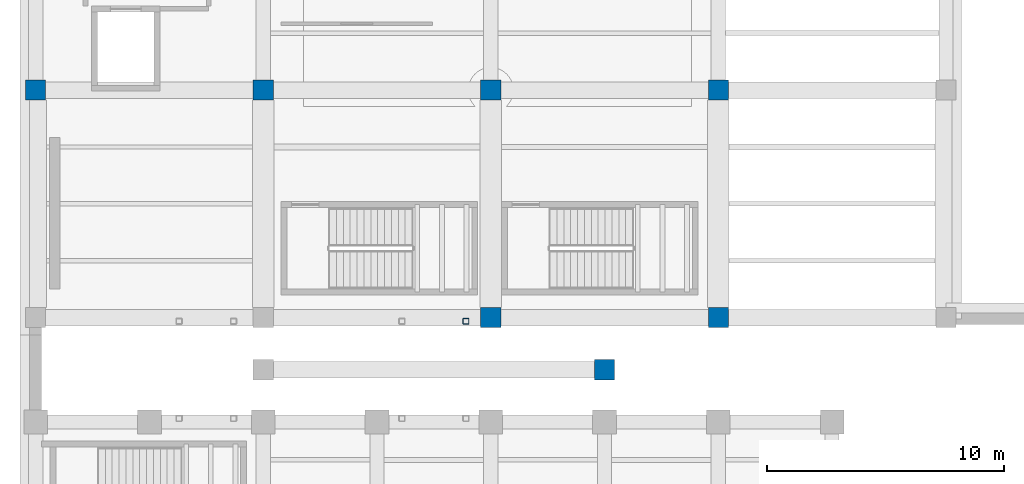
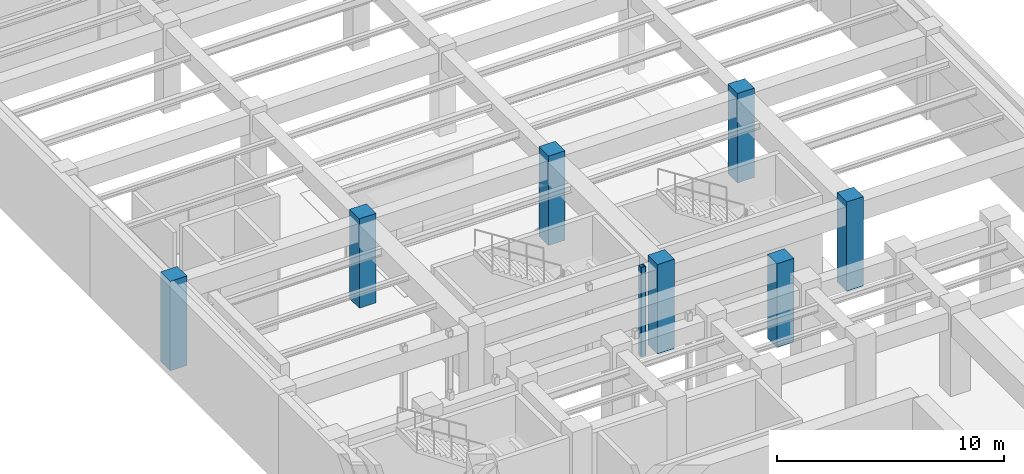
# One storey, part 8 of 45: 8 columns.
"""IFC4 building model written with IfcOpenShell, lengths in metres."""

from ifc_helpers import new_model, si_unit, direction, frame, origin, origin_2d, place, context, subcontext, project, spatial, rectangle, hollow_rectangle, extrude, material, material_profile, profile_set, type_object, element, save


model = new_model("IFC4")

# Units and contexts
model_context = context("Model", 3, precision=1e-05, world=origin(), true_north=direction((0.0, 1.0)))
body_context = subcontext(model_context, "Body", "Model", "MODEL_VIEW")
ifc_project = project(units=[si_unit("LENGTHUNIT", "METRE"), si_unit("AREAUNIT", "SQUARE_METRE"), si_unit("VOLUMEUNIT", "CUBIC_METRE"), si_unit("PLANEANGLEUNIT", "RADIAN"), si_unit("MASSUNIT", "GRAM", prefix="KILO")], contexts=[model_context])

# Site, building, storey
site_placement = place(None, origin())
site = spatial("IfcSite", under=ifc_project, at=site_placement, CompositionType="ELEMENT")
building_placement = place(site_placement, origin())
building = spatial("IfcBuilding", under=site, at=building_placement, Name="Mavantir Sound Aquarium", CompositionType="ELEMENT")
storey_placement = place(building_placement, frame((0.0, 0.0, -4.800048828125)))
storey = spatial("IfcBuildingStorey", under=building, at=storey_placement, Name="B1", CompositionType="ELEMENT", Elevation=-4.800048828125)

# Columns
ifc_material_1 = material(Name="Concrete C40/50", Category="concrete")
ifc_material_profile_1 = material_profile(ifc_material_1, rectangle(XDim=0.85009765625, YDim=0.85009765625, at=origin_2d()), Name="RC 850X850")
ifc_profile_set_1 = profile_set([ifc_material_profile_1], Name="Concrete C40/50")
column_type_1 = type_object("IfcColumnType", Name="COL-RC850-E", PredefinedType="COLUMN", material=ifc_profile_set_1)
column_1_placement = place(storey_placement, frame((0.0, 93.199951171875, 0.0), z_axis=(0.0, 0.0, 1.0), x_axis=(1.0, 0.0, 0.0)))
element("IfcColumn", 1, at=column_1_placement, inside=storey, type_object=column_type_1, Name="B1 column RC-C85 (V5)", PredefinedType="COLUMN", context=body_context, shape_type="SweptSolid", body=[
    extrude(rectangle(XDim=0.85009765625, YDim=0.85009765625, at=origin_2d()), origin(), (0.0, 0.0, 1.0), 4.800048828125),
])
ifc_material_profile_2 = material_profile(ifc_material_1, rectangle(XDim=0.85009765625, YDim=0.85009765625, at=origin_2d()), Name="RC 850X850")
ifc_profile_set_2 = profile_set([ifc_material_profile_2], Name="Concrete C40/50")
column_type_2 = type_object("IfcColumnType", Name="COL-RC850-I", PredefinedType="COLUMN", material=ifc_profile_set_2)
for number, where, z_axis, x_axis, name in (
    (2, (9.60009765625, 93.199951171875, 0.0), (0.0, 0.0, 1.0), (1.0, 0.0, 0.0), "B1 column RC-C85 (V5)"),
    (3, (19.199951171875, 83.60009765625, 0.0), (0.0, 0.0, 1.0), (1.0, 0.0, 0.0), "B1 column RC-C85 (V5)"),
    (4, (19.199951171875, 93.199951171875, 0.0), (0.0, 0.0, 1.0), (1.0, 0.0, 0.0), "B1 column RC-C85 (V5)"),
    (5, (28.800048828125, 83.60009765625, 0.0), (0.0, 0.0, 1.0), (1.0, 0.0, 0.0), "B1 column RC-C85 (V5)"),
    (6, (28.800048828125, 93.199951171875, 0.0), (0.0, 0.0, 1.0), (1.0, 0.0, 0.0), "B1 column RC-C85 (V5)"),
):
    element("IfcColumn", number, at=place(storey_placement, frame(where, z_axis=z_axis, x_axis=x_axis)), inside=storey, type_object=column_type_2, Name=name, PredefinedType="COLUMN", context=body_context, shape_type="SweptSolid", body=[
        extrude(rectangle(XDim=0.85009765625, YDim=0.85009765625, at=origin_2d()), origin(), (0.0, 0.0, 1.0), 4.800048828125),
    ])
column_2_placement = place(storey_placement, frame((24.0, 81.39990234375, 0.0), z_axis=(0.0, 0.0, 1.0), x_axis=(1.0, 0.0, 0.0)))
element("IfcColumn", 7, at=column_2_placement, inside=storey, type_object=column_type_2, Name="B1 column RC-C85 (COURT)", PredefinedType="COLUMN", context=body_context, shape_type="SweptSolid", body=[
    extrude(rectangle(XDim=0.85009765625, YDim=0.85009765625, at=origin_2d()), origin(), (0.0, 0.0, 1.0), 4.5),
])
ifc_material_2 = material(Name="Hollow Structural Steel ASTM A500 GrC", Category="steel")
ifc_material_profile_3 = material_profile(ifc_material_2, hollow_rectangle(XDim=0.25, YDim=0.25, WallThickness=0.012451171875, InnerFilletRadius=0.012451171875, OuterFilletRadius=0.02490234375, at=origin_2d()), Name="SHS 250X250X12.5")
ifc_profile_set_3 = profile_set([ifc_material_profile_3], Name="Hollow Structural Steel ASTM A500 GrC")
column_type_3 = type_object("IfcColumnType", Name="COL-SHS250-E", PredefinedType="COLUMN", material=ifc_profile_set_3)
column_3_placement = place(storey_placement, frame((18.14990234375, 83.449951171875, 0.0), z_axis=(0.0, 0.0, 1.0), x_axis=(1.0, 0.0, 0.0)))
element("IfcColumn", 8, at=column_3_placement, inside=storey, type_object=column_type_3, Name="Bridge support column 3.4 (B1)", PredefinedType="COLUMN", context=body_context, shape_type="SweptSolid", body=[
    extrude(hollow_rectangle(XDim=0.25, YDim=0.25, WallThickness=0.012451171875, InnerFilletRadius=0.012451171875, OuterFilletRadius=0.02490234375, at=origin_2d()), origin(), (0.0, 0.0, 1.0), 4.800048828125),
])

save(model, "model.ifc")
